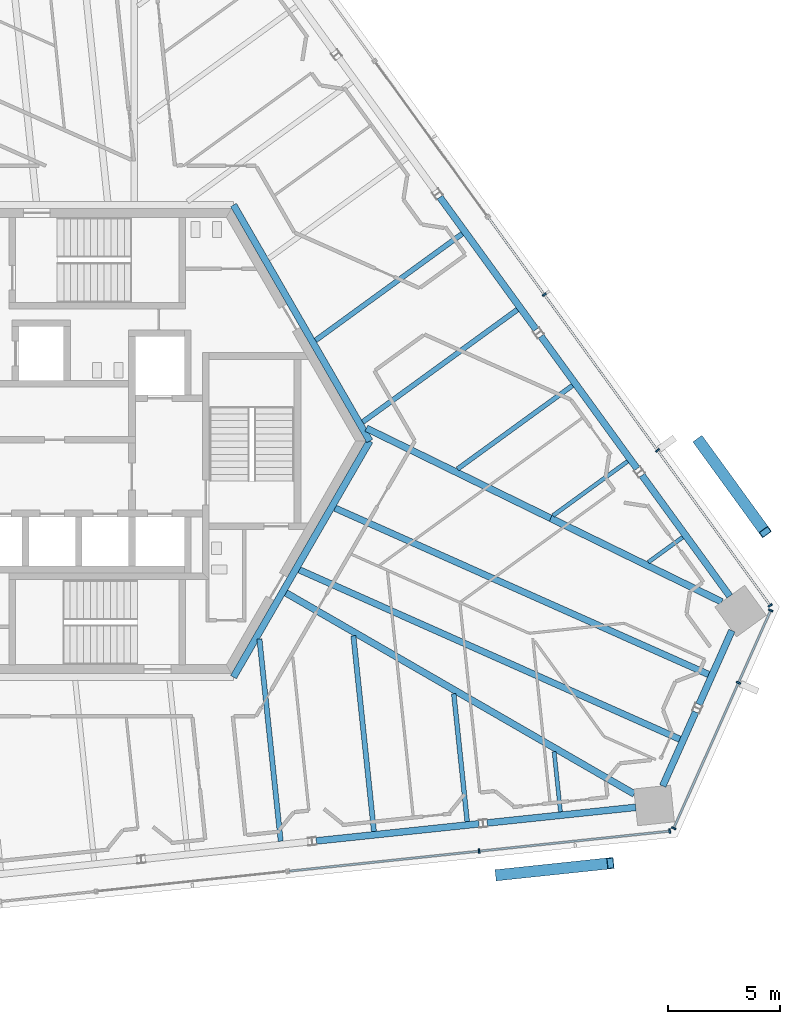
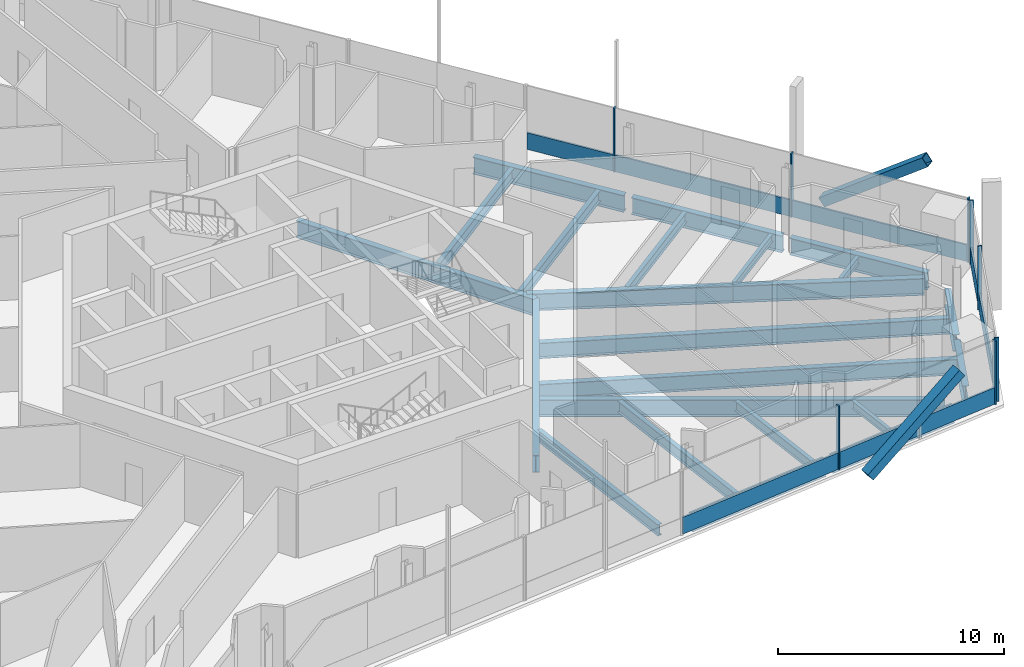
# One storey, part 6 of 21: 23 beams, 17 members, 3 elements without a shape of their own.
"""IFC4 building model written with IfcOpenShell, lengths in metres."""

import ifcopenshell
import ifcopenshell.guid

model = None  # the IFC model being written
_history = None  # IfcOwnerHistory: only IFC2X3 demands one
_inside = {}  # id of a spatial element -> (the spatial element, [elements in it])
_under = {}  # id of a project, library or spatial element -> (it, [spatial elements below it])
_declared = {}  # id of a project -> (the project, [libraries it declares])
_typed = {}  # id of a type object -> (the type object, [elements of that type])
_made_of = {}  # id of a material, layer set ... -> (it, [elements and type objects made of it])


def new_model(schema):
    """Start an empty IFC model of exactly this schema.

    Asked for "IFC4X3", IfcOpenShell would pick the latest addendum, in which some entities
    have other attributes; the version numbers below select the first issue.
    IFC2X3 requires an IfcOwnerHistory on every rooted entity: one is made here for all.
    """
    global model, _history
    if schema == "IFC4X3":
        model = ifcopenshell.file(schema_version=(4, 3, 0, 0))
    else:
        model = ifcopenshell.file(schema=schema)
    _inside.clear()
    _under.clear()
    _declared.clear()
    _typed.clear()
    _made_of.clear()
    _history = None
    if model.schema == "IFC2X3":
        org = make("IfcOrganization", Name="unknown")
        user = make(
            "IfcPersonAndOrganization",
            ThePerson=make("IfcPerson", FamilyName="unknown"),
            TheOrganization=org,
        )
        app = make(
            "IfcApplication",
            ApplicationDeveloper=org,
            Version="unknown",
            ApplicationFullName="unknown",
            ApplicationIdentifier="unknown",
        )
        _history = make(
            "IfcOwnerHistory",
            OwningUser=user,
            OwningApplication=app,
            ChangeAction="ADDED",
            CreationDate=0,
        )
    return model


def make(cls, **values):
    """One entity of the class cls with the attributes given. An attribute that is None is left unset."""
    return model.create_entity(
        cls, **{name: value for name, value in values.items() if value is not None}
    )


def rooted(cls, **values):
    """An entity with a GlobalId (a new one), such as an element, a storey or a relation."""
    return make(cls, GlobalId=ifcopenshell.guid.new(), OwnerHistory=_history, **values)


def si_unit(unit_type, name, prefix=None):
    """IfcSIUnit, for example si_unit("LENGTHUNIT", "METRE", prefix="MILLI")."""
    return make("IfcSIUnit", UnitType=unit_type, Prefix=prefix, Name=name)


def assignment(units):
    """IfcUnitAssignment: the units of a project."""
    return None if units is None else make("IfcUnitAssignment", Units=units)


def point(xyz):
    """IfcCartesianPoint."""
    return None if xyz is None else make("IfcCartesianPoint", Coordinates=xyz)


def direction(xyz):
    """IfcDirection."""
    return None if xyz is None else make("IfcDirection", DirectionRatios=xyz)


def frame(location, z_axis=None, x_axis=None):
    """IfcAxis2Placement3D, a coordinate frame: its origin and axes. An axis left out is left unset."""
    return make(
        "IfcAxis2Placement3D",
        Location=point(location),
        Axis=direction(z_axis),
        RefDirection=direction(x_axis),
    )


def frame_2d(location, x_axis=None):
    """IfcAxis2Placement2D, a coordinate frame in the plane: its origin and x axis."""
    return make(
        "IfcAxis2Placement2D", Location=point(location), RefDirection=direction(x_axis)
    )


def origin():
    """The frame at (0, 0, 0) with its axes left unset."""
    return frame((0.0, 0.0, 0.0))


def origin_2d():
    """The frame at (0, 0) in the plane with its x axis left unset."""
    return frame_2d((0.0, 0.0))


def place(relative_to, where):
    """IfcLocalPlacement: puts the frame where relative to a parent placement (None: the world)."""
    return make(
        "IfcLocalPlacement", PlacementRelTo=relative_to, RelativePlacement=where
    )


def context(
    kind, dimensions, precision=None, world=None, true_north=None, identifier=None
):
    """IfcGeometricRepresentationContext, for example the 3D "Model" context."""
    return make(
        "IfcGeometricRepresentationContext",
        ContextIdentifier=identifier,
        ContextType=kind,
        CoordinateSpaceDimension=dimensions,
        Precision=precision,
        WorldCoordinateSystem=world,
        TrueNorth=true_north,
    )


def subcontext(parent, identifier, kind, view, scale=None):
    """IfcGeometricRepresentationSubContext, for example "Body" below "Model"."""
    return make(
        "IfcGeometricRepresentationSubContext",
        ContextIdentifier=identifier,
        ContextType=kind,
        ParentContext=parent,
        TargetScale=scale,
        TargetView=view,
    )


def project(units=None, contexts=None):
    """IfcProject with its units and contexts."""
    return rooted(
        "IfcProject",
        Name="project",
        RepresentationContexts=contexts,
        UnitsInContext=assignment(units),
    )


def spatial(cls, under=None, at=None, **own):
    """A site, building, storey or space (cls), placed at a placement, below another one or the project."""
    s = rooted(cls, ObjectPlacement=at, **own)
    if under is not None:
        _under.setdefault(under.id(), (under, []))[1].append(s)
    return s


def profile(cls, at=None, kind="AREA", **sizes):
    """A parametric profile (cls). Its sizes go by their IFC names, for example OverallWidth=200.0."""
    return make(cls, ProfileType=kind, Position=at, **sizes)


def rectangle(**sizes):
    """IfcRectangleProfileDef."""
    return profile("IfcRectangleProfileDef", **sizes)


def hollow_rectangle(**sizes):
    """IfcRectangleHollowProfileDef."""
    return profile("IfcRectangleHollowProfileDef", **sizes)


def i_section(**sizes):
    """IfcIShapeProfileDef."""
    return profile("IfcIShapeProfileDef", **sizes)


def extrude(swept, where, along, depth):
    """IfcExtrudedAreaSolid: the profile swept, set in the frame where, extruded along a direction by depth."""
    return make(
        "IfcExtrudedAreaSolid",
        SweptArea=swept,
        Position=where,
        ExtrudedDirection=direction(along),
        Depth=depth,
    )


def shape(context_of_items, identifier, shape_type, items):
    """IfcShapeRepresentation: the items that make up one representation, for example the "Body"."""
    return make(
        "IfcShapeRepresentation",
        ContextOfItems=context_of_items,
        RepresentationIdentifier=identifier,
        RepresentationType=shape_type,
        Items=items,
    )


def source(mapping_origin, context_of_items, identifier, shape_type, items):
    """IfcRepresentationMap: a shape defined once, which mapped items show again and again."""
    return make(
        "IfcRepresentationMap",
        MappingOrigin=mapping_origin,
        MappedRepresentation=shape(context_of_items, identifier, shape_type, items),
    )


def transform(
    local_origin,
    x_axis=None,
    y_axis=None,
    z_axis=None,
    scale=None,
    scale2=None,
    scale3=None,
    uniform=True,
):
    """IfcCartesianTransformationOperator3D, or its non-uniform kind. x_axis, y_axis, z_axis: its Axis1, 2, 3."""
    if uniform:
        return make(
            "IfcCartesianTransformationOperator3D",
            Axis1=direction(x_axis),
            Axis2=direction(y_axis),
            LocalOrigin=point(local_origin),
            Scale=scale,
            Axis3=direction(z_axis),
        )
    return make(
        "IfcCartesianTransformationOperator3DnonUniform",
        Axis1=direction(x_axis),
        Axis2=direction(y_axis),
        LocalOrigin=point(local_origin),
        Scale=scale,
        Axis3=direction(z_axis),
        Scale2=scale2,
        Scale3=scale3,
    )


def mapped(mapping_source, mapping_target):
    """IfcMappedItem: shows the shape of a source again, moved by a transform."""
    return make(
        "IfcMappedItem", MappingSource=mapping_source, MappingTarget=mapping_target
    )


def material(Name=None, Category=None):
    """IfcMaterial."""
    return make("IfcMaterial", Name=Name, Category=Category)


def material_profile(
    of_material, cross_section, Name=None, Category=None, Priority=None
):
    """IfcMaterialProfile: a cross section and its material."""
    return make(
        "IfcMaterialProfile",
        Name=Name,
        Material=of_material,
        Profile=cross_section,
        Priority=Priority,
        Category=Category,
    )


def profile_set(profiles, Name=None, composite=None):
    """IfcMaterialProfileSet."""
    return make(
        "IfcMaterialProfileSet",
        Name=Name,
        MaterialProfiles=profiles,
        CompositeProfile=composite,
    )


def made_of(thing, what):
    """Note that an element or type object is made of a material, layer set ...; save() writes the relation."""
    if what is not None:
        _made_of.setdefault(what.id(), (what, []))[1].append(thing)
    return thing


def type_object(cls, material=None, **own):
    """A type object (cls), such as IfcWallType, which elements share."""
    return made_of(rooted(cls, **own), material)


def element(
    cls,
    number,
    at=None,
    inside=None,
    cuts=None,
    type_object=None,
    material=None,
    context=None,
    identifier="Body",
    shape_type=None,
    held_by="IfcProductDefinitionShape",
    body=None,
    shapes=None,
    **own,
):
    """One element of the class cls, such as IfcWall. Its Tag is "e" and its number.

    at: its placement. inside: the storey or other place that contains it. cuts: it is an
    opening in that element (IfcRelVoidsElement). A single representation is given by context,
    identifier, shape_type and body (its items); several are given by shapes. held_by: the class
    of the entity that holds the representations. save() writes the other relations.
    """
    e = rooted(cls, Tag="e%d" % number, ObjectPlacement=at, **own)
    if body is not None:
        shapes = [shape(context, identifier, shape_type, body)]
    if shapes is not None:
        e.Representation = make(held_by, Representations=shapes)
    if inside is not None:
        _inside.setdefault(inside.id(), (inside, []))[1].append(e)
    if cuts is not None:
        rooted(
            "IfcRelVoidsElement", RelatingBuildingElement=cuts, RelatedOpeningElement=e
        )
    if type_object is not None:
        _typed.setdefault(type_object.id(), (type_object, []))[1].append(e)
    return made_of(e, material)


def aggregate(whole, parts):
    """IfcRelAggregates: a whole, such as a stair, and the parts it consists of."""
    return rooted("IfcRelAggregates", RelatingObject=whole, RelatedObjects=parts)


def save(model, path):
    """Write the relations noted so far, then the file.

    IfcRelAggregates (storeys below a building ...), IfcRelContainedInSpatialStructure (elements
    in a storey), IfcRelDefinesByType, IfcRelAssociatesMaterial and IfcRelDeclares: one each for
    every whole, place, type object, material and project.
    """
    for whole, parts in _under.values():
        aggregate(whole, parts)
    for where, things in _inside.values():
        rooted(
            "IfcRelContainedInSpatialStructure",
            RelatedElements=things,
            RelatingStructure=where,
        )
    for kind, things in _typed.values():
        rooted("IfcRelDefinesByType", RelatedObjects=things, RelatingType=kind)
    for what, things in _made_of.values():
        rooted("IfcRelAssociatesMaterial", RelatedObjects=things, RelatingMaterial=what)
    for by, libraries in _declared.values():
        rooted("IfcRelDeclares", RelatingContext=by, RelatedDefinitions=libraries)
    model.write(path)


model = new_model("IFC4")

# Units and contexts
model_context = context("Model", 3, precision=1e-05, world=origin(), true_north=direction((0.0, 1.0)))
body_context = subcontext(model_context, "Body", "Model", "MODEL_VIEW")
ifc_project = project(units=[si_unit("LENGTHUNIT", "METRE"), si_unit("AREAUNIT", "SQUARE_METRE"), si_unit("VOLUMEUNIT", "CUBIC_METRE"), si_unit("PLANEANGLEUNIT", "RADIAN"), si_unit("MASSUNIT", "GRAM", prefix="KILO")], contexts=[model_context])

# Site, building, storey
site_placement = place(None, origin())
site = spatial("IfcSite", under=ifc_project, at=site_placement, CompositionType="ELEMENT")
building_placement = place(site_placement, origin())
building = spatial("IfcBuilding", under=site, at=building_placement, Name="Triune Harvest Tower", CompositionType="ELEMENT")
storey_placement = place(building_placement, frame((0.0, 0.0, 248.5)))
storey = spatial("IfcBuildingStorey", under=building, at=storey_placement, Name="L65", CompositionType="ELEMENT", Elevation=248.5)

# Curtain wall, member
ifc_material_1 = material(Name="Aluminium bronze anodised", Category="aluminium")
curtain_wall_type = type_object("IfcCurtainWallType", Name="CW-7 Tower stick curtain wall with insulated spandrel infill", PredefinedType="NOTDEFINED", material=ifc_material_1)
curtain_wall_1_placement = place(storey_placement, origin())
curtain_wall_1 = element("IfcCurtainWall", 1, at=curtain_wall_1_placement, inside=storey, type_object=curtain_wall_type, Name="CW-7 B6-F1 L65 run 1")
ifc_material_2 = material(Name="Aluminium bronze anodised", Category="aluminium")
ifc_material_profile_1 = material_profile(ifc_material_2, rectangle(XDim=0.090087890625, YDim=0.89990234375, at=origin_2d()), Name="TR-1 transom 90 x 900")
ifc_profile_set_1 = profile_set([ifc_material_profile_1], Name="Aluminium bronze anodised")
member_type_1 = type_object("IfcMemberType", Name="TR-1 transom 90 x 900", PredefinedType="USERDEFINED", material=ifc_profile_set_1)
member_1_placement = place(storey_placement, frame((25.00732421875, -0.3876953125, 0.449951171875), z_axis=(-0.587788505875, 0.809014630499, 0.0), x_axis=(-0.809014630499, -0.587788505875, 0.0)))
member_1 = element("IfcMember", 2, at=member_1_placement, type_object=member_type_1, Name="CW-7 transom B6-F1 1.2", ObjectType="TRANSOM", PredefinedType="USERDEFINED", context=body_context, shape_type="SweptSolid", body=[
    extrude(rectangle(XDim=0.090087890625, YDim=0.89990234375, at=origin_2d()), origin(), (0.0, 0.0, 1.0), 8.525146484375),
])

# Beams
ifc_material_3 = material(Name="Steel ASTM A992 Gr 50", Category="steel")
ifc_material_profile_2 = material_profile(ifc_material_3, i_section(OverallWidth=0.3046875, OverallDepth=0.914306640625, WebThickness=0.0166015625, FlangeThickness=0.02587890625, at=origin_2d()), Name="W36x160")
ifc_profile_set_2 = profile_set([ifc_material_profile_2], Name="Steel ASTM A992 Gr 50")
beam_type_1 = type_object("IfcBeamType", Name="CG-1 Core ring girder W36x160", PredefinedType="BEAM", material=ifc_profile_set_2)
shared_shape_1 = source(origin(), body_context, "Body", "SweptSolid", [
    extrude(i_section(OverallWidth=0.3046875, OverallDepth=0.914306640625, WebThickness=0.0166015625, FlangeThickness=0.02587890625, at=origin_2d()), origin(), (0.0, 0.0, 1.0), 12.176025390625),
])
for number, where, z_axis, x_axis, name in (
    (3, (12.176025390625, 0.0, -0.6171875), (-0.5000099932, 0.866019634131, 0.0), (-0.866019634131, -0.5000099932, 0.0), "beam/L65/CG1"),
    (4, (6.087890625, -10.544677734375, -0.6171875), (0.5000099932, 0.866019634131, 0.0), (-0.866019634131, 0.5000099932, 0.0), "beam/L65/CG6"),
):
    element("IfcBeam", number, at=place(storey_placement, frame(where, z_axis=z_axis, x_axis=x_axis)), inside=storey, type_object=beam_type_1, Name=name, PredefinedType="BEAM", context=body_context, shape_type="MappedRepresentation", body=[
        mapped(shared_shape_1, transform((0.0, 0.0, 0.0), scale=1.0)),
    ])
ifc_material_4 = material(Name="Steel ASTM A992 Gr 50", Category="steel")
ifc_material_profile_3 = material_profile(ifc_material_4, i_section(OverallWidth=0.3046875, OverallDepth=0.914306640625, WebThickness=0.0166015625, FlangeThickness=0.02587890625, at=origin_2d()), Name="W36x160")
ifc_profile_set_3 = profile_set([ifc_material_profile_3], Name="Steel ASTM A992 Gr 50")
beam_type_2 = type_object("IfcBeamType", Name="HG-3 Hip girder W36x160", PredefinedType="BEAM", material=ifc_profile_set_3)
shared_shape_2 = source(origin(), body_context, "Body", "SweptSolid", [
    extrude(i_section(OverallWidth=0.3046875, OverallDepth=0.914306640625, WebThickness=0.0166015625, FlangeThickness=0.02587890625, at=origin_2d()), origin(), (0.0, 0.0, 1.0), 9.168212890625),
])
beam_1_placement = place(storey_placement, frame((20.2587890625, -3.451171875, -0.6171875), z_axis=(-0.898521846145, 0.438928800605, 0.0), x_axis=(-0.438928800605, -0.898521846145, 0.0)))
element("IfcBeam", 5, at=beam_1_placement, inside=storey, type_object=beam_type_2, Name="beam/L65/HG2", PredefinedType="BEAM", context=body_context, shape_type="MappedRepresentation", body=[
    mapped(shared_shape_2, transform((0.0, 0.0, 0.0), scale=1.0)),
])
ifc_material_5 = material(Name="Steel ASTM A992 Gr 50", Category="steel")
ifc_material_profile_4 = material_profile(ifc_material_5, i_section(OverallWidth=0.3046875, OverallDepth=0.914306640625, WebThickness=0.0166015625, FlangeThickness=0.02587890625, at=origin_2d()), Name="W36x160")
ifc_profile_set_4 = profile_set([ifc_material_profile_4], Name="Steel ASTM A992 Gr 50")
beam_type_3 = type_object("IfcBeamType", Name="SB-1 Spandrel beam W36x160", PredefinedType="SPANDREL", material=ifc_profile_set_4)
shared_shape_3 = source(origin(), body_context, "Body", "SweptSolid", [
    extrude(i_section(OverallWidth=0.3046875, OverallDepth=0.914306640625, WebThickness=0.0166015625, FlangeThickness=0.02587890625, at=origin_2d()), origin(), (0.0, 0.0, 1.0), 6.67041015625),
])
for number, where, z_axis, x_axis, name in (
    (6, (28.256591796875, -6.927734375, -0.6171875), (-0.587797324645, 0.80900822316, 0.0), (-0.80900822316, -0.587797324645, 0.0), "beam/L65/SB1"),
    (7, (17.421630859375, -17.060302734375, -0.6171875), (0.994521485501, 0.104532362822, 0.0), (-0.104532362822, 0.994521485501, 0.0), "beam/L65/SB22"),
):
    element("IfcBeam", number, at=place(storey_placement, frame(where, z_axis=z_axis, x_axis=x_axis)), inside=storey, type_object=beam_type_3, Name=name, PredefinedType="SPANDREL", context=body_context, shape_type="MappedRepresentation", body=[
        mapped(shared_shape_3, transform((0.0, 0.0, 0.0), scale=1.0)),
    ])
shared_shape_4 = source(origin(), body_context, "Body", "SweptSolid", [
    extrude(i_section(OverallWidth=0.3046875, OverallDepth=0.914306640625, WebThickness=0.0166015625, FlangeThickness=0.02587890625, at=origin_2d()), origin(), (0.0, 0.0, 1.0), 7.31103515625),
])
for number, where, z_axis, x_axis, name in (
    (8, (24.119384765625, -1.2333984375, -0.6171875), (-0.587786436325, 0.809016134124, 0.0), (-0.809016134124, -0.587786436325, 0.0), "beam/L65/SB2"),
    (9, (19.60546875, 4.9794921875, -0.6171875), (-0.587786436325, 0.809016134124, 0.0), (-0.809016134124, -0.587786436325, 0.0), "beam/L65/SB3"),
    (10, (9.784423828125, -17.863037109375, -0.6171875), (0.994522639393, 0.104521384101, 0.0), (-0.104521384101, 0.994522639393, 0.0), "beam/L65/SB21"),
):
    element("IfcBeam", number, at=place(storey_placement, frame(where, z_axis=z_axis, x_axis=x_axis)), inside=storey, type_object=beam_type_3, Name=name, PredefinedType="SPANDREL", context=body_context, shape_type="MappedRepresentation", body=[
        mapped(shared_shape_4, transform((0.0, 0.0, 0.0), scale=1.0)),
    ])
shared_shape_5 = source(origin(), body_context, "Body", "SweptSolid", [
    extrude(i_section(OverallWidth=0.3046875, OverallDepth=0.914306640625, WebThickness=0.0166015625, FlangeThickness=0.02587890625, at=origin_2d()), origin(), (0.0, 0.0, 1.0), 3.614990234375),
])
beam_2_placement = place(storey_placement, frame((26.883544921875, -11.767822265625, -0.6171875), z_axis=(0.406758712736, 0.913535631277, 0.0), x_axis=(-0.913535631277, 0.406758712736, 0.0)))
element("IfcBeam", 11, at=beam_2_placement, inside=storey, type_object=beam_type_3, Name="beam/L65/SB24", PredefinedType="SPANDREL", context=body_context, shape_type="MappedRepresentation", body=[
    mapped(shared_shape_5, transform((0.0, 0.0, 0.0), scale=1.0)),
])
shared_shape_6 = source(origin(), body_context, "Body", "SweptSolid", [
    extrude(i_section(OverallWidth=0.3046875, OverallDepth=0.914306640625, WebThickness=0.0166015625, FlangeThickness=0.02587890625, at=origin_2d()), origin(), (0.0, 0.0, 1.0), 3.61474609375),
])
beam_3_placement = place(storey_placement, frame((25.263427734375, -15.406494140625, -0.6171875), z_axis=(0.406783809082, 0.913524456525, 0.0), x_axis=(-0.913524456525, 0.406783809082, 0.0)))
element("IfcBeam", 12, at=beam_3_placement, inside=storey, type_object=beam_type_3, Name="beam/L65/SB23", PredefinedType="SPANDREL", context=body_context, shape_type="MappedRepresentation", body=[
    mapped(shared_shape_6, transform((0.0, 0.0, 0.0), scale=1.0)),
])
shared_shape_7 = source(origin(), body_context, "Body", "SweptSolid", [
    extrude(i_section(OverallWidth=0.3046875, OverallDepth=0.914306640625, WebThickness=0.0166015625, FlangeThickness=0.02587890625, at=origin_2d()), origin(), (0.0, 0.0, 1.0), 8.506591796875),
])
beam_4_placement = place(storey_placement, frame((27.902099609375, -7.18505859375, -0.6171875), z_axis=(-0.898516187924, 0.43894038324, 0.0), x_axis=(-0.43894038324, -0.898516187924, 0.0)))
element("IfcBeam", 13, at=beam_4_placement, inside=storey, type_object=beam_type_2, Name="beam/L65/HG1", PredefinedType="BEAM", context=body_context, shape_type="MappedRepresentation", body=[
    mapped(shared_shape_7, transform((0.0, 0.0, 0.0), scale=1.0)),
])
shared_shape_8 = source(origin(), body_context, "Body", "SweptSolid", [
    extrude(i_section(OverallWidth=0.3046875, OverallDepth=0.914306640625, WebThickness=0.0166015625, FlangeThickness=0.02587890625, at=origin_2d()), origin(), (0.0, 0.0, 1.0), 17.96484375),
])
beam_5_placement = place(storey_placement, frame((23.992919921875, -15.766845703125, -0.6171875), z_axis=(-0.866026717539, 0.499997724503, 0.0), x_axis=(-0.499997724503, -0.866026717539, 0.0)))
element("IfcBeam", 14, at=beam_5_placement, inside=storey, type_object=beam_type_2, Name="beam/L65/HG10", PredefinedType="BEAM", context=body_context, shape_type="MappedRepresentation", body=[
    mapped(shared_shape_8, transform((0.0, 0.0, 0.0), scale=1.0)),
])
ifc_material_6 = material(Name="Steel ASTM A992 Gr 50", Category="steel")
ifc_material_profile_5 = material_profile(ifc_material_6, i_section(OverallWidth=0.180908203125, OverallDepth=0.41650390625, WebThickness=0.010986328125, FlangeThickness=0.01806640625, at=origin_2d()), Name="W16x57")
ifc_profile_set_5 = profile_set([ifc_material_profile_5], Name="Steel ASTM A992 Gr 50")
beam_type_4 = type_object("IfcBeamType", Name="JT-1 Floor joist W16x57", PredefinedType="JOIST", material=ifc_profile_set_5)
shared_shape_9 = source(origin(), body_context, "Body", "SweptSolid", [
    extrude(i_section(OverallWidth=0.180908203125, OverallDepth=0.41650390625, WebThickness=0.010986328125, FlangeThickness=0.01806640625, at=origin_2d()), origin(), (0.0, 0.0, 1.0), 1.89892578125),
])
beam_6_placement = place(storey_placement, frame((26.156005859375, -4.2958984375, -0.368408203125), z_axis=(-0.808980650343, -0.587835272309, 0.0), x_axis=(0.587835272309, -0.808980650343, 0.0)))
element("IfcBeam", 15, at=beam_6_placement, inside=storey, type_object=beam_type_4, Name="beam/L65/JT1", PredefinedType="JOIST", context=body_context, shape_type="MappedRepresentation", body=[
    mapped(shared_shape_9, transform((0.0, 0.0, 0.0), scale=1.0)),
])
shared_shape_10 = source(origin(), body_context, "Body", "SweptSolid", [
    extrude(i_section(OverallWidth=0.180908203125, OverallDepth=0.41650390625, WebThickness=0.010986328125, FlangeThickness=0.01806640625, at=origin_2d()), origin(), (0.0, 0.0, 1.0), 4.122802734375),
])
beam_7_placement = place(storey_placement, frame((23.69384765625, -0.906982421875, -0.368408203125), z_axis=(-0.809017670691, -0.587784321423, 0.0), x_axis=(0.587784321423, -0.809017670691, 0.0)))
element("IfcBeam", 16, at=beam_7_placement, inside=storey, type_object=beam_type_4, Name="beam/L65/JT2", PredefinedType="JOIST", context=body_context, shape_type="MappedRepresentation", body=[
    mapped(shared_shape_10, transform((0.0, 0.0, 0.0), scale=1.0)),
])
ifc_material_7 = material(Name="Steel ASTM A992 Gr 50", Category="steel")
ifc_material_profile_6 = material_profile(ifc_material_7, i_section(OverallWidth=0.2099609375, OverallDepth=0.535888671875, WebThickness=0.010986328125, FlangeThickness=0.017333984375, at=origin_2d()), Name="W21x68")
ifc_profile_set_6 = profile_set([ifc_material_profile_6], Name="Steel ASTM A992 Gr 50")
beam_type_5 = type_object("IfcBeamType", Name="JT-2 Floor joist W21x68", PredefinedType="JOIST", material=ifc_profile_set_6)
shared_shape_11 = source(origin(), body_context, "Body", "SweptSolid", [
    extrude(i_section(OverallWidth=0.2099609375, OverallDepth=0.535888671875, WebThickness=0.010986328125, FlangeThickness=0.017333984375, at=origin_2d()), origin(), (0.0, 0.0, 1.0), 6.346435546875),
])
beam_8_placement = place(storey_placement, frame((21.231689453125, 2.481689453125, -0.427978515625), z_axis=(-0.809002165091, -0.58780566251, 0.0), x_axis=(0.58780566251, -0.809002165091, 0.0)))
element("IfcBeam", 17, at=beam_8_placement, inside=storey, type_object=beam_type_5, Name="beam/L65/JT3", PredefinedType="JOIST", context=body_context, shape_type="MappedRepresentation", body=[
    mapped(shared_shape_11, transform((0.0, 0.0, 0.0), scale=1.0)),
])
ifc_material_8 = material(Name="Steel ASTM A992 Gr 50", Category="steel")
ifc_material_profile_7 = material_profile(ifc_material_8, i_section(OverallWidth=0.22900390625, OverallDepth=0.612060546875, WebThickness=0.011962890625, FlangeThickness=0.01953125, at=origin_2d()), Name="W24x84")
ifc_profile_set_7 = profile_set([ifc_material_profile_7], Name="Steel ASTM A992 Gr 50")
beam_type_6 = type_object("IfcBeamType", Name="JT-3 Floor joist W24x84", PredefinedType="JOIST", material=ifc_profile_set_7)
shared_shape_12 = source(origin(), body_context, "Body", "SweptSolid", [
    extrude(i_section(OverallWidth=0.22900390625, OverallDepth=0.612060546875, WebThickness=0.011962890625, FlangeThickness=0.01953125, at=origin_2d()), origin(), (0.0, 0.0, 1.0), 8.540283203125),
])
beam_9_placement = place(storey_placement, frame((18.769775390625, 5.87060546875, -0.466064453125), z_axis=(-0.809019081634, -0.587782379416, 0.0), x_axis=(0.587782379416, -0.809019081634, 0.0)))
element("IfcBeam", 18, at=beam_9_placement, inside=storey, type_object=beam_type_6, Name="beam/L65/JT4", PredefinedType="JOIST", context=body_context, shape_type="MappedRepresentation", body=[
    mapped(shared_shape_12, transform((0.0, 0.0, 0.0), scale=1.0)),
])
shared_shape_13 = source(origin(), body_context, "Body", "SweptSolid", [
    extrude(i_section(OverallWidth=0.22900390625, OverallDepth=0.612060546875, WebThickness=0.011962890625, FlangeThickness=0.01953125, at=origin_2d()), origin(), (0.0, 0.0, 1.0), 8.099609375),
])
beam_10_placement = place(storey_placement, frame((16.3076171875, 9.25927734375, -0.466064453125), z_axis=(-0.809022748574, -0.587777332235, 0.0), x_axis=(0.587777332235, -0.809022748574, 0.0)))
element("IfcBeam", 19, at=beam_10_placement, inside=storey, type_object=beam_type_6, Name="beam/L65/JT5", PredefinedType="JOIST", context=body_context, shape_type="MappedRepresentation", body=[
    mapped(shared_shape_13, transform((0.0, 0.0, 0.0), scale=1.0)),
])
shared_shape_14 = source(origin(), body_context, "Body", "SweptSolid", [
    extrude(i_section(OverallWidth=0.22900390625, OverallDepth=0.612060546875, WebThickness=0.011962890625, FlangeThickness=0.01953125, at=origin_2d()), origin(), (0.0, 0.0, 1.0), 9.084716796875),
])
beam_11_placement = place(storey_placement, frame((8.19677734375, -17.876708984375, -0.466064453125), z_axis=(-0.104539296445, 0.994520756696, 0.0), x_axis=(-0.994520756696, -0.104539296445, 0.0)))
element("IfcBeam", 20, at=beam_11_placement, inside=storey, type_object=beam_type_6, Name="beam/L65/JT31", PredefinedType="JOIST", context=body_context, shape_type="MappedRepresentation", body=[
    mapped(shared_shape_14, transform((0.0, 0.0, 0.0), scale=1.0)),
])
shared_shape_15 = source(origin(), body_context, "Body", "SweptSolid", [
    extrude(i_section(OverallWidth=0.2099609375, OverallDepth=0.535888671875, WebThickness=0.010986328125, FlangeThickness=0.017333984375, at=origin_2d()), origin(), (0.0, 0.0, 1.0), 5.745849609375),
])
beam_12_placement = place(storey_placement, frame((16.5283203125, -17.0009765625, -0.427978515625), z_axis=(-0.104525532782, 0.99452220337, 0.0), x_axis=(-0.99452220337, -0.104525532782, 0.0)))
element("IfcBeam", 21, at=beam_12_placement, inside=storey, type_object=beam_type_5, Name="beam/L65/JT33", PredefinedType="JOIST", context=body_context, shape_type="MappedRepresentation", body=[
    mapped(shared_shape_15, transform((0.0, 0.0, 0.0), scale=1.0)),
])
shared_shape_16 = source(origin(), body_context, "Body", "SweptSolid", [
    extrude(i_section(OverallWidth=0.180908203125, OverallDepth=0.41650390625, WebThickness=0.010986328125, FlangeThickness=0.01806640625, at=origin_2d()), origin(), (0.0, 0.0, 1.0), 2.70263671875),
])
beam_13_placement = place(storey_placement, frame((20.694091796875, -16.56298828125, -0.368408203125), z_axis=(-0.104520196043, 0.994522764254, 0.0), x_axis=(-0.994522764254, -0.104520196043, 0.0)))
element("IfcBeam", 22, at=beam_13_placement, inside=storey, type_object=beam_type_4, Name="beam/L65/JT34", PredefinedType="JOIST", context=body_context, shape_type="MappedRepresentation", body=[
    mapped(shared_shape_16, transform((0.0, 0.0, 0.0), scale=1.0)),
])
ifc_material_9 = material(Name="Steel ASTM A992 Gr 50", Category="steel")
ifc_material_profile_8 = material_profile(ifc_material_9, i_section(OverallWidth=0.2919921875, OverallDepth=0.8408203125, WebThickness=0.0146484375, FlangeThickness=0.021728515625, at=origin_2d()), Name="W33x130")
ifc_profile_set_8 = profile_set([ifc_material_profile_8], Name="Steel ASTM A992 Gr 50")
beam_type_7 = type_object("IfcBeamType", Name="JT-6 Floor joist W33x130", PredefinedType="JOIST", material=ifc_profile_set_8)
shared_shape_17 = source(origin(), body_context, "Body", "SweptSolid", [
    extrude(i_section(OverallWidth=0.2919921875, OverallDepth=0.8408203125, WebThickness=0.0146484375, FlangeThickness=0.021728515625, at=origin_2d()), origin(), (0.0, 0.0, 1.0), 18.60400390625),
])
beam_14_placement = place(storey_placement, frame((26.025390625, -13.32080078125, -0.580322265625), z_axis=(-0.913546187597, 0.406735003568, 0.0), x_axis=(-0.406735003568, -0.913546187597, 0.0)))
element("IfcBeam", 23, at=beam_14_placement, inside=storey, type_object=beam_type_7, Name="beam/L65/JT35", PredefinedType="JOIST", context=body_context, shape_type="MappedRepresentation", body=[
    mapped(shared_shape_17, transform((0.0, 0.0, 0.0), scale=1.0)),
])
shared_shape_18 = source(origin(), body_context, "Body", "SweptSolid", [
    extrude(i_section(OverallWidth=0.22900390625, OverallDepth=0.612060546875, WebThickness=0.011962890625, FlangeThickness=0.01953125, at=origin_2d()), origin(), (0.0, 0.0, 1.0), 8.7890625),
])
beam_15_placement = place(storey_placement, frame((12.362548828125, -17.438720703125, -0.466064453125), z_axis=(-0.104527173764, 0.9945220309, 0.0), x_axis=(-0.9945220309, -0.104527173764, 0.0)))
element("IfcBeam", 24, at=beam_15_placement, inside=storey, type_object=beam_type_6, Name="beam/L65/JT32", PredefinedType="JOIST", context=body_context, shape_type="MappedRepresentation", body=[
    mapped(shared_shape_18, transform((0.0, 0.0, 0.0), scale=1.0)),
])
shared_shape_19 = source(origin(), body_context, "Body", "SweptSolid", [
    extrude(i_section(OverallWidth=0.2919921875, OverallDepth=0.8408203125, WebThickness=0.0146484375, FlangeThickness=0.021728515625, at=origin_2d()), origin(), (0.0, 0.0, 1.0), 18.270751953125),
])
beam_16_placement = place(storey_placement, frame((27.313720703125, -10.427001953125, -0.580322265625), z_axis=(-0.913545207047, 0.406737205922, 0.0), x_axis=(-0.406737205922, -0.913545207047, 0.0)))
element("IfcBeam", 25, at=beam_16_placement, inside=storey, type_object=beam_type_7, Name="beam/L65/JT36", PredefinedType="JOIST", context=body_context, shape_type="MappedRepresentation", body=[
    mapped(shared_shape_19, transform((0.0, 0.0, 0.0), scale=1.0)),
])

# Members
ifc_material_10 = material(Name="Steel ASTM A572 Gr 50", Category="steel")
ifc_material_profile_9 = material_profile(ifc_material_10, hollow_rectangle(XDim=0.5, YDim=0.5, WallThickness=0.030029296875, at=origin_2d()), Name="Box 500x500x30")
ifc_profile_set_9 = profile_set([ifc_material_profile_9], Name="Steel ASTM A572 Gr 50")
member_type_2 = type_object("IfcMemberType", Name="BR-3 Brace Box 500x500x30", PredefinedType="BRACE", material=ifc_profile_set_9)
shared_shape_20 = source(origin(), body_context, "Body", "SweptSolid", [
    extrude(hollow_rectangle(XDim=0.5, YDim=0.5, WallThickness=0.030029296875, at=origin_2d()), origin(), (0.0, 0.0, 1.0), 6.1708984375),
])
member_2_placement = place(storey_placement, frame((26.896484375, -0.010498046875, 0.0), z_axis=(0.47736401752, -0.65709754409, 0.583392159982), x_axis=(0.809043512263, 0.587748751819, 0.0)))
element("IfcMember", 26, at=member_2_placement, inside=storey, type_object=member_type_2, Name="brace/B6-F1/d2/9", PredefinedType="BRACE", context=body_context, shape_type="MappedRepresentation", body=[
    mapped(shared_shape_20, transform((0.0, 0.0, 0.0), scale=1.0)),
])
shared_shape_21 = source(origin(), body_context, "Body", "SweptSolid", [
    extrude(hollow_rectangle(XDim=0.5, YDim=0.5, WallThickness=0.030029296875, at=origin_2d()), origin(), (0.0, 0.0, 1.0), 6.171142578125),
])
member_3_placement = place(storey_placement, frame((17.9423828125, -19.384033203125, 0.0), z_axis=(0.807744891482, 0.084900844253, 0.58338669588), x_axis=(-0.104532646515, 0.994521455682, 0.0)))
element("IfcMember", 27, at=member_3_placement, inside=storey, type_object=member_type_2, Name="brace/B6-F5/d1/9", PredefinedType="BRACE", context=body_context, shape_type="MappedRepresentation", body=[
    mapped(shared_shape_21, transform((0.0, 0.0, 0.0), scale=1.0)),
])

# Member
ifc_material_11 = material(Name="Aluminium bronze anodised", Category="aluminium")
ifc_material_profile_10 = material_profile(ifc_material_11, rectangle(XDim=0.199951171875, YDim=0.074951171875, at=origin_2d()), Name="MU-1 mullion 75 x 200")
ifc_profile_set_10 = profile_set([ifc_material_profile_10], Name="Aluminium bronze anodised")
member_type_3 = type_object("IfcMemberType", Name="MU-1 mullion 75 x 200", PredefinedType="MULLION", material=ifc_profile_set_10)
shared_shape_22 = source(origin(), body_context, "Body", "SweptSolid", [
    extrude(rectangle(XDim=0.199951171875, YDim=0.074951171875, at=origin_2d()), origin(), (0.0, 0.0, 1.0), 3.43994140625),
])
member_4_placement = place(storey_placement, frame((30.062255859375, -7.34521484375, 0.0), z_axis=(0.0, 0.0, 1.0), x_axis=(-0.809016399108, -0.587786071606, 0.0)))
member_4 = element("IfcMember", 28, at=member_4_placement, type_object=member_type_3, Name="CW-7 mullion B6-F1 1.1", PredefinedType="MULLION", context=body_context, shape_type="MappedRepresentation", body=[
    mapped(shared_shape_22, transform((0.0, 0.0, 0.0), scale=1.0)),
])

member_5_placement = place(storey_placement, frame((25.029296875, -0.41796875, 0.0), z_axis=(0.0, 0.0, 1.0), x_axis=(-0.809016399108, -0.587786071606, 0.0)))
member_5 = element("IfcMember", 29, at=member_5_placement, type_object=member_type_3, Name="CW-7 mullion B6-F1 1.3", PredefinedType="MULLION", context=body_context, shape_type="MappedRepresentation", body=[
    mapped(shared_shape_22, transform((0.0, 0.0, 0.0), scale=1.0)),
])

member_6_placement = place(storey_placement, frame((19.974365234375, 6.53955078125, 0.0), z_axis=(0.0, 0.0, 1.0), x_axis=(-0.809016399108, -0.587786071606, 0.0)))
member_6 = element("IfcMember", 30, at=member_6_placement, type_object=member_type_3, Name="CW-7 mullion B6-F1 1.5", PredefinedType="MULLION", context=body_context, shape_type="MappedRepresentation", body=[
    mapped(shared_shape_22, transform((0.0, 0.0, 0.0), scale=1.0)),
])

# Curtain wall, members
curtain_wall_2_placement = place(storey_placement, origin())
curtain_wall_2 = element("IfcCurtainWall", 31, at=curtain_wall_2_placement, inside=storey, type_object=curtain_wall_type, Name="CW-7 B6-F5 L65 run 2001")
member_7_placement = place(storey_placement, frame((17.05859375, -18.320556640625, 0.0), z_axis=(0.0, 0.0, 1.0), x_axis=(-0.104527917264, 0.994521952755, 0.0)))
member_7 = element("IfcMember", 32, at=member_7_placement, type_object=member_type_3, Name="CW-7 mullion B6-F5 2001.3", PredefinedType="MULLION", context=body_context, shape_type="MappedRepresentation", body=[
    mapped(shared_shape_22, transform((0.0, 0.0, 0.0), scale=1.0)),
])
member_8_placement = place(storey_placement, frame((25.57421875, -17.425537109375, 0.0), z_axis=(0.0, 0.0, 1.0), x_axis=(-0.104527917264, 0.994521952755, 0.0)))
member_8 = element("IfcMember", 33, at=member_8_placement, type_object=member_type_3, Name="CW-7 mullion B6-F5 2001.5", PredefinedType="MULLION", context=body_context, shape_type="MappedRepresentation", body=[
    mapped(shared_shape_22, transform((0.0, 0.0, 0.0), scale=1.0)),
])

curtain_wall_3_placement = place(storey_placement, origin())
curtain_wall_3 = element("IfcCurtainWall", 34, at=curtain_wall_3_placement, inside=storey, type_object=curtain_wall_type, Name="CW-7 B6-F6 L65 run 1")
member_9_placement = place(storey_placement, frame((25.7529296875, -17.2958984375, 0.0), z_axis=(0.0, 0.0, 1.0), x_axis=(-0.913542531121, 0.406743216086, 0.0)))
member_9 = element("IfcMember", 35, at=member_9_placement, type_object=member_type_3, Name="CW-7 mullion B6-F6 1.1", PredefinedType="MULLION", context=body_context, shape_type="MappedRepresentation", body=[
    mapped(shared_shape_22, transform((0.0, 0.0, 0.0), scale=1.0)),
])
member_10_placement = place(storey_placement, frame((28.646240234375, -10.797119140625, 0.0), z_axis=(0.0, 0.0, 1.0), x_axis=(-0.913542531121, 0.406743216086, 0.0)))
member_10 = element("IfcMember", 36, at=member_10_placement, type_object=member_type_3, Name="CW-7 mullion B6-F6 1.3", PredefinedType="MULLION", context=body_context, shape_type="MappedRepresentation", body=[
    mapped(shared_shape_22, transform((0.0, 0.0, 0.0), scale=1.0)),
])
member_11_placement = place(storey_placement, frame((30.08544921875, -7.56494140625, 0.0), z_axis=(0.0, 0.0, 1.0), x_axis=(-0.913542531121, 0.406743216086, 0.0)))
member_11 = element("IfcMember", 37, at=member_11_placement, type_object=member_type_3, Name="CW-7 mullion B6-F6 1.4", PredefinedType="MULLION", context=body_context, shape_type="MappedRepresentation", body=[
    mapped(shared_shape_22, transform((0.0, 0.0, 0.0), scale=1.0)),
])
shared_shape_23 = source(origin(), body_context, "Body", "SweptSolid", [
    extrude(rectangle(XDim=0.090087890625, YDim=0.89990234375, at=origin_2d()), origin(), (0.0, 0.0, 1.0), 7.038818359375),
])
member_12_placement = place(storey_placement, frame((25.76806640625, -17.261474609375, 0.449951171875), z_axis=(0.406753052694, 0.913538151433, 0.0), x_axis=(-0.913538151433, 0.406753052694, 0.0)))
member_12 = element("IfcMember", 38, at=member_12_placement, type_object=member_type_1, Name="CW-7 transom B6-F6 1.1", ObjectType="TRANSOM", PredefinedType="USERDEFINED", context=body_context, shape_type="MappedRepresentation", body=[
    mapped(shared_shape_23, transform((0.0, 0.0, 0.0), scale=1.0)),
])
shared_shape_24 = source(origin(), body_context, "Body", "SweptSolid", [
    extrude(rectangle(XDim=0.090087890625, YDim=0.89990234375, at=origin_2d()), origin(), (0.0, 0.0, 1.0), 3.463134765625),
])
member_13_placement = place(storey_placement, frame((28.66162109375, -10.762939453125, 0.449951171875), z_axis=(0.406694368517, 0.913564278317, 0.0), x_axis=(-0.913564278317, 0.406694368517, 0.0)))
member_13 = element("IfcMember", 39, at=member_13_placement, type_object=member_type_1, Name="CW-7 transom B6-F6 1.2", ObjectType="TRANSOM", PredefinedType="USERDEFINED", context=body_context, shape_type="MappedRepresentation", body=[
    mapped(shared_shape_24, transform((0.0, 0.0, 0.0), scale=1.0)),
])
aggregate(curtain_wall_3, [member_9, member_10, member_11, member_12, member_13])

# Member
shared_shape_25 = source(origin(), body_context, "Body", "SweptSolid", [
    extrude(rectangle(XDim=0.090087890625, YDim=0.89990234375, at=origin_2d()), origin(), (0.0, 0.0, 1.0), 8.487548828125),
])
member_14_placement = place(storey_placement, frame((30.040283203125, -7.31494140625, 0.449951171875), z_axis=(-0.587771412018, 0.809027049742, 0.0), x_axis=(-0.809027049742, -0.587771412018, 0.0)))
member_14 = element("IfcMember", 40, at=member_14_placement, type_object=member_type_1, Name="CW-7 transom B6-F1 1.1", ObjectType="TRANSOM", PredefinedType="USERDEFINED", context=body_context, shape_type="MappedRepresentation", body=[
    mapped(shared_shape_25, transform((0.0, 0.0, 0.0), scale=1.0)),
])

member_15_placement = place(storey_placement, frame((8.580078125, -19.211669921875, 0.449951171875), z_axis=(0.994521832377, 0.104529062585, 0.0), x_axis=(-0.104529062585, 0.994521832377, 0.0)))
member_15 = element("IfcMember", 41, at=member_15_placement, type_object=member_type_1, Name="CW-7 transom B6-F5 2001.1", ObjectType="TRANSOM", PredefinedType="USERDEFINED", context=body_context, shape_type="MappedRepresentation", body=[
    mapped(shared_shape_25, transform((0.0, 0.0, 0.0), scale=1.0)),
])

shared_shape_26 = source(origin(), body_context, "Body", "SweptSolid", [
    extrude(rectangle(XDim=0.090087890625, YDim=0.89990234375, at=origin_2d()), origin(), (0.0, 0.0, 1.0), 8.4873046875),
])
member_16_placement = place(storey_placement, frame((17.095947265625, -18.316650390625, 0.449951171875), z_axis=(0.994521518077, 0.104532052892, 0.0), x_axis=(-0.104532052892, 0.994521518077, 0.0)))
member_16 = element("IfcMember", 42, at=member_16_placement, type_object=member_type_1, Name="CW-7 transom B6-F5 2001.2", ObjectType="TRANSOM", PredefinedType="USERDEFINED", context=body_context, shape_type="MappedRepresentation", body=[
    mapped(shared_shape_26, transform((0.0, 0.0, 0.0), scale=1.0)),
])

aggregate(curtain_wall_2, [member_7, member_8, member_15, member_16])

shared_shape_27 = source(origin(), body_context, "Body", "SweptSolid", [
    extrude(rectangle(XDim=0.090087890625, YDim=0.89990234375, at=origin_2d()), origin(), (0.0, 0.0, 1.0), 4.187744140625),
])
member_17_placement = place(storey_placement, frame((19.952392578125, 6.56982421875, 0.449951171875), z_axis=(-0.587776450788, 0.809023388969, 0.0), x_axis=(-0.809023388969, -0.587776450788, 0.0)))
member_17 = element("IfcMember", 43, at=member_17_placement, type_object=member_type_1, Name="CW-7 transom B6-F1 1.3", ObjectType="TRANSOM", PredefinedType="USERDEFINED", context=body_context, shape_type="MappedRepresentation", body=[
    mapped(shared_shape_27, transform((0.0, 0.0, 0.0), scale=1.0)),
])

aggregate(curtain_wall_1, [member_4, member_5, member_6, member_14, member_1, member_17])

save(model, "model.ifc")
